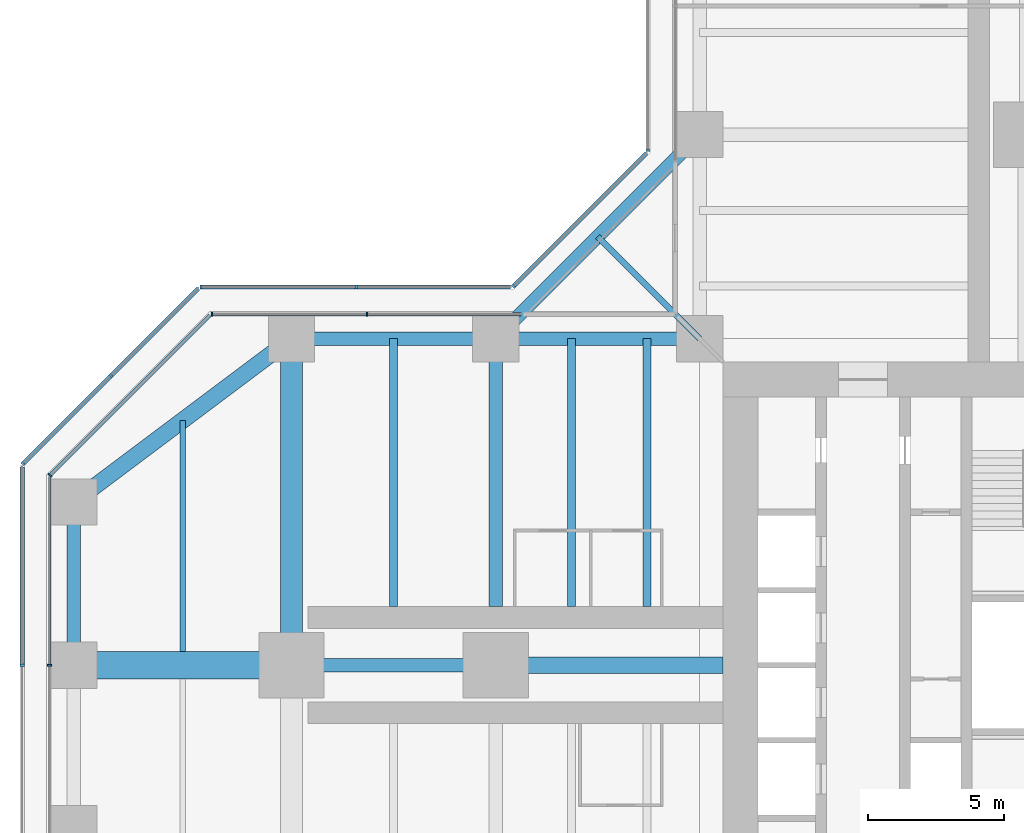
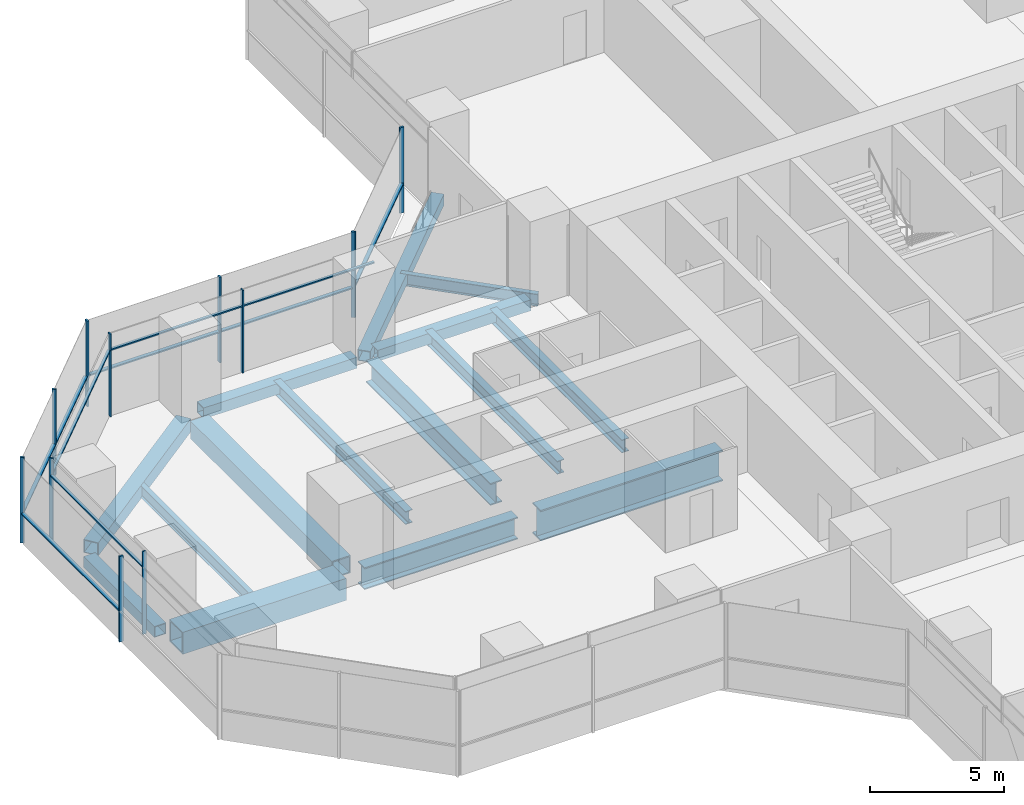
# One storey, part 8 of 22: 21 members, 15 beams, 8 elements without a shape of their own.
"""IFC4 building model written with IfcOpenShell, lengths in metres."""

from ifc_helpers import new_model, si_unit, direction, frame, origin, origin_2d, place, context, subcontext, project, spatial, rectangle, hollow_rectangle, i_section, extrude, material, material_profile, profile_set, type_object, element, aggregate, save


model = new_model("IFC4")

# Units and contexts
model_context = context("Model", 3, precision=1e-05, world=origin(), true_north=direction((0.0, 1.0)))
body_context = subcontext(model_context, "Body", "Model", "MODEL_VIEW")
ifc_project = project(units=[si_unit("LENGTHUNIT", "METRE"), si_unit("AREAUNIT", "SQUARE_METRE"), si_unit("VOLUMEUNIT", "CUBIC_METRE"), si_unit("PLANEANGLEUNIT", "RADIAN"), si_unit("MASSUNIT", "GRAM", prefix="KILO")], contexts=[model_context])

# Site, building, storey
site_placement = place(None, origin())
site = spatial("IfcSite", under=ifc_project, at=site_placement, CompositionType="ELEMENT")
building_placement = place(site_placement, origin())
building = spatial("IfcBuilding", under=site, at=building_placement, Name="Mizan Broadcast Tower", CompositionType="ELEMENT")
storey_placement = place(building_placement, frame((0.0, 0.0, 90.300048828125)))
storey = spatial("IfcBuildingStorey", under=building, at=storey_placement, Name="L19", CompositionType="ELEMENT", Elevation=90.300048828125)

# Beams
ifc_material_1 = material(Name="Steel S355", Category="steel")
ifc_material_profile_1 = material_profile(ifc_material_1, hollow_rectangle(XDim=0.5, YDim=0.5, WallThickness=0.030029296875, at=origin_2d()), Name="BOX 500x500x30")
ifc_profile_set_1 = profile_set([ifc_material_profile_1], Name="Steel S355")
beam_type_1 = type_object("IfcBeamType", Name="EDGE BEAM BOX 500x500x30", PredefinedType="SPANDREL", material=ifc_profile_set_1)
for number, where, z_axis, x_axis, name in (
    (1, (-12.449951171875, 12.0, -0.380126953125), (-1.0, 0.0, 0.0), (0.0, -1.0, 0.0), "Edge beam BOX 500x500x30 L19 west arm"),
    (2, (-19.949951171875, 12.0, -0.380126953125), (-1.0, 0.0, 0.0), (0.0, -1.0, 0.0), "Edge beam BOX 500x500x30 L19 west arm"),
):
    element("IfcBeam", number, at=place(storey_placement, frame(where, z_axis=z_axis, x_axis=x_axis)), inside=storey, type_object=beam_type_1, Name=name, PredefinedType="SPANDREL", context=body_context, shape_type="SweptSolid", body=[
        extrude(hollow_rectangle(XDim=0.5, YDim=0.5, WallThickness=0.030029296875, at=origin_2d()), origin(), (0.0, 0.0, 1.0), 6.60009765625),
    ])
beam_1_placement = place(storey_placement, frame((-35.0, 5.639892578125, -0.380126953125), z_axis=(0.0, -1.0, 0.0), x_axis=(1.0, 0.0, 0.0)))
element("IfcBeam", 3, at=beam_1_placement, inside=storey, type_object=beam_type_1, Name="Edge beam BOX 500x500x30 L19 west arm", PredefinedType="SPANDREL", context=body_context, shape_type="SweptSolid", body=[
    extrude(hollow_rectangle(XDim=0.5, YDim=0.5, WallThickness=0.030029296875, at=origin_2d()), origin(), (0.0, 0.0, 1.0), 5.27978515625),
])
beam_2_placement = place(storey_placement, frame((-12.0, 19.5, -0.380126953125), z_axis=(-0.707106781187, -0.707106781187, 0.0), x_axis=(0.707106781187, -0.707106781187, 0.0)))
element("IfcBeam", 4, at=beam_2_placement, inside=storey, type_object=beam_type_1, Name="Winter garden edge beam L19 N", PredefinedType="SPANDREL", context=body_context, shape_type="SweptSolid", body=[
    extrude(hollow_rectangle(XDim=0.5, YDim=0.5, WallThickness=0.030029296875, at=origin_2d()), origin(), (0.0, 0.0, 1.0), 10.606689453125),
])
ifc_material_2 = material(Name="Steel S355", Category="steel")
ifc_material_profile_2 = material_profile(ifc_material_2, hollow_rectangle(XDim=0.60009765625, YDim=0.60009765625, WallThickness=0.030029296875, at=origin_2d()), Name="BOX 600x600x30")
ifc_profile_set_2 = profile_set([ifc_material_profile_2], Name="Steel S355")
beam_type_2 = type_object("IfcBeamType", Name="EDGE BEAM BOX 600x600x30", PredefinedType="SPANDREL", material=ifc_profile_set_2)
beam_3_placement = place(storey_placement, frame((-27.47998046875, 11.639892578125, -0.429931640625), z_axis=(-0.800013316712, -0.599982243973, 0.0), x_axis=(0.599982243973, -0.800013316712, 0.0)))
element("IfcBeam", 5, at=beam_3_placement, inside=storey, type_object=beam_type_2, Name="Edge beam BOX 600x600x30 L19 west arm", PredefinedType="SPANDREL", context=body_context, shape_type="SweptSolid", body=[
    extrude(hollow_rectangle(XDim=0.60009765625, YDim=0.60009765625, WallThickness=0.030029296875, at=origin_2d()), origin(), (0.0, 0.0, 1.0), 8.7998046875),
])
ifc_material_3 = material(Name="Steel S460", Category="steel")
ifc_material_profile_3 = material_profile(ifc_material_3, hollow_rectangle(XDim=1.0, YDim=1.0, WallThickness=0.06005859375, at=origin_2d()), Name="BOX 1000x1000x60")
ifc_profile_set_3 = profile_set([ifc_material_profile_3], Name="Steel S460")
beam_type_3 = type_object("IfcBeamType", Name="GIRDER BOX 1000x1000x60", PredefinedType="BEAM", material=ifc_profile_set_3)
beam_4_placement = place(storey_placement, frame((-27.47998046875, 0.0, -0.630126953125), z_axis=(-1.0, 0.0, 0.0), x_axis=(0.0, -1.0, 0.0)))
element("IfcBeam", 6, at=beam_4_placement, inside=storey, type_object=beam_type_3, Name="Girder BOX 1000x1000x60 L19 west arm", PredefinedType="BEAM", context=body_context, shape_type="SweptSolid", body=[
    extrude(hollow_rectangle(XDim=1.0, YDim=1.0, WallThickness=0.06005859375, at=origin_2d()), origin(), (0.0, 0.0, 1.0), 7.0400390625),
])
ifc_material_4 = material(Name="Steel S460", Category="steel")
ifc_material_profile_4 = material_profile(ifc_material_4, hollow_rectangle(XDim=0.800048828125, YDim=0.800048828125, WallThickness=0.050048828125, at=origin_2d()), Name="BOX 800x800x50")
ifc_profile_set_4 = profile_set([ifc_material_profile_4], Name="Steel S460")
beam_type_4 = type_object("IfcBeamType", Name="GIRDER BOX 800x800x50", PredefinedType="BEAM", material=ifc_profile_set_4)
beam_5_placement = place(storey_placement, frame((-27.0, 11.280029296875, -0.530029296875), z_axis=(0.0, -1.0, 0.0), x_axis=(1.0, 0.0, 0.0)))
element("IfcBeam", 7, at=beam_5_placement, inside=storey, type_object=beam_type_4, Name="Girder BOX 800x800x50 L19 west arm", PredefinedType="BEAM", context=body_context, shape_type="SweptSolid", body=[
    extrude(hollow_rectangle(XDim=0.800048828125, YDim=0.800048828125, WallThickness=0.050048828125, at=origin_2d()), origin(), (0.0, 0.0, 1.0), 10.56005859375),
])
ifc_material_5 = material(Name="Steel S460", Category="steel")
ifc_material_profile_5 = material_profile(ifc_material_5, i_section(OverallWidth=0.5, OverallDepth=1.0, WebThickness=0.02490234375, FlangeThickness=0.050048828125, at=origin_2d()), Name="WPG 1000x500")
ifc_profile_set_5 = profile_set([ifc_material_profile_5], Name="Steel S460")
beam_type_5 = type_object("IfcBeamType", Name="GIRDER WPG 1000x500", PredefinedType="BEAM", material=ifc_profile_set_5)
beam_6_placement = place(storey_placement, frame((-19.949951171875, 0.0, -0.630126953125), z_axis=(-1.0, 0.0, 0.0), x_axis=(0.0, -1.0, 0.0)))
element("IfcBeam", 8, at=beam_6_placement, inside=storey, type_object=beam_type_5, Name="Girder WPG 1000x500 L19 west arm", PredefinedType="BEAM", context=body_context, shape_type="SweptSolid", body=[
    extrude(i_section(OverallWidth=0.5, OverallDepth=1.0, WebThickness=0.02490234375, FlangeThickness=0.050048828125, at=origin_2d()), origin(), (0.0, 0.0, 1.0), 6.60009765625),
])
beam_7_placement = place(storey_placement, frame((-19.5, 11.408935546875, -0.630126953125), z_axis=(0.0, -1.0, 0.0), x_axis=(1.0, 0.0, 0.0)))
element("IfcBeam", 9, at=beam_7_placement, inside=storey, type_object=beam_type_5, Name="Girder WPG 1000x500 L19 west arm", PredefinedType="BEAM", context=body_context, shape_type="SweptSolid", body=[
    extrude(i_section(OverallWidth=0.5, OverallDepth=1.0, WebThickness=0.02490234375, FlangeThickness=0.050048828125, at=origin_2d()), origin(), (0.0, 0.0, 1.0), 9.259033203125),
])
ifc_material_6 = material(Name="Steel S460", Category="steel")
ifc_material_profile_6 = material_profile(ifc_material_6, i_section(OverallWidth=0.60009765625, OverallDepth=1.39990234375, WebThickness=0.02490234375, FlangeThickness=0.06005859375, at=origin_2d()), Name="WPG 1400x600")
ifc_profile_set_6 = profile_set([ifc_material_profile_6], Name="Steel S460")
beam_type_6 = type_object("IfcBeamType", Name="GIRDER WPG 1400x600", PredefinedType="BEAM", material=ifc_profile_set_6)
beam_8_placement = place(storey_placement, frame((-11.14990234375, 0.0, -0.830078125), z_axis=(-1.0, 0.0, 0.0), x_axis=(0.0, -1.0, 0.0)))
element("IfcBeam", 10, at=beam_8_placement, inside=storey, type_object=beam_type_6, Name="Girder WPG 1400x600 L19 west arm", PredefinedType="BEAM", context=body_context, shape_type="SweptSolid", body=[
    extrude(i_section(OverallWidth=0.60009765625, OverallDepth=1.39990234375, WebThickness=0.02490234375, FlangeThickness=0.06005859375, at=origin_2d()), origin(), (0.0, 0.0, 1.0), 7.84912109375),
])

# Curtain wall, members
ifc_material_7 = material(Name="Aluminium framed glazing", Category="aluminium")
curtain_wall_type_1 = type_object("IfcCurtainWallType", Name="INNER SKIN LOW ZONE", PredefinedType="USERDEFINED", material=ifc_material_7)
curtain_wall_1_placement = place(storey_placement, origin())
curtain_wall_1 = element("IfcCurtainWall", 11, at=curtain_wall_1_placement, inside=storey, type_object=curtain_wall_type_1, Name="Inner skin low zone L19 W side", ObjectType="INNER SKIN LOW ZONE", PredefinedType="USERDEFINED")
ifc_material_8 = material(Name="Aluminium, pale anodised", Category="aluminium")
ifc_material_profile_7 = material_profile(ifc_material_8, rectangle(XDim=0.159912109375, YDim=0.06005859375, at=origin_2d()), Name="MULLION 160x60")
ifc_profile_set_7 = profile_set([ifc_material_profile_7], Name="Aluminium, pale anodised")
member_type_1 = type_object("IfcMemberType", Name="INNER SKIN MULLION 60x160", PredefinedType="MULLION", material=ifc_profile_set_7)
member_1_placement = place(storey_placement, frame((-24.229248046875, 12.89990234375, 0.0), z_axis=(0.0, 0.0, 1.0), x_axis=(0.0, -1.0, 0.0)))
member_1 = element("IfcMember", 12, at=member_1_placement, type_object=member_type_1, Name="Inner skin low zone L19 W side mullion 2", PredefinedType="MULLION", context=body_context, shape_type="SweptSolid", body=[
    extrude(rectangle(XDim=0.159912109375, YDim=0.06005859375, at=origin_2d()), origin(), (0.0, 0.0, 1.0), 3.77001953125),
])
member_2_placement = place(storey_placement, frame((-29.928466796875, 12.89990234375, 0.0), z_axis=(0.0, 0.0, 1.0), x_axis=(0.0, -1.0, 0.0)))
member_2 = element("IfcMember", 13, at=member_2_placement, type_object=member_type_1, Name="Inner skin low zone L19 W side mullion 3", PredefinedType="MULLION", context=body_context, shape_type="SweptSolid", body=[
    extrude(rectangle(XDim=0.159912109375, YDim=0.06005859375, at=origin_2d()), origin(), (0.0, 0.0, 1.0), 3.77001953125),
])

# Curtain wall, member
curtain_wall_2_placement = place(storey_placement, origin())
curtain_wall_2 = element("IfcCurtainWall", 14, at=curtain_wall_2_placement, inside=storey, type_object=curtain_wall_type_1, Name="Inner skin low zone L19 W chamfer", ObjectType="INNER SKIN LOW ZONE", PredefinedType="USERDEFINED")
member_3_placement = place(storey_placement, frame((-35.87890625, 6.979736328125, 0.0), z_axis=(0.0, 0.0, 1.0), x_axis=(0.707106781187, -0.707106781187, 0.0)))
member_3 = element("IfcMember", 15, at=member_3_placement, type_object=member_type_1, Name="Inner skin low zone L19 W chamfer mullion 2", PredefinedType="MULLION", context=body_context, shape_type="SweptSolid", body=[
    extrude(rectangle(XDim=0.159912109375, YDim=0.06005859375, at=origin_2d()), origin(), (0.0, 0.0, 1.0), 3.77001953125),
])

curtain_wall_3_placement = place(storey_placement, origin())
curtain_wall_3 = element("IfcCurtainWall", 16, at=curtain_wall_3_placement, inside=storey, type_object=curtain_wall_type_1, Name="Inner skin low zone L19 W end", ObjectType="INNER SKIN LOW ZONE", PredefinedType="USERDEFINED")
member_4_placement = place(storey_placement, frame((-35.89990234375, 0.0, 0.0), z_axis=(0.0, 0.0, 1.0), x_axis=(1.0, 0.0, 0.0)))
member_4 = element("IfcMember", 17, at=member_4_placement, type_object=member_type_1, Name="Inner skin low zone L19 W end mullion 2", PredefinedType="MULLION", context=body_context, shape_type="SweptSolid", body=[
    extrude(rectangle(XDim=0.159912109375, YDim=0.06005859375, at=origin_2d()), origin(), (0.0, 0.0, 1.0), 3.77001953125),
])

# Member
ifc_material_9 = material(Name="Aluminium, pale anodised", Category="aluminium")
ifc_material_profile_8 = material_profile(ifc_material_9, rectangle(XDim=0.1201171875, YDim=0.06005859375, at=origin_2d()), Name="TRANSOM 120x60")
ifc_profile_set_8 = profile_set([ifc_material_profile_8], Name="Aluminium, pale anodised")
member_type_2 = type_object("IfcMemberType", Name="INNER SKIN TRANSOM 60x120", PredefinedType="USERDEFINED", material=ifc_profile_set_8)
member_5_placement = place(storey_placement, frame((-18.56005859375, 12.89990234375, 3.030029296875), z_axis=(-1.0, 0.0, 0.0), x_axis=(0.0, -1.0, 0.0)))
member_5 = element("IfcMember", 18, at=member_5_placement, type_object=member_type_2, Name="Inner skin low zone L19 W side transom 1.1", ObjectType="TRANSOM", PredefinedType="USERDEFINED", context=body_context, shape_type="SweptSolid", body=[
    extrude(rectangle(XDim=0.1201171875, YDim=0.06005859375, at=origin_2d()), origin(), (0.0, 0.0, 1.0), 5.63916015625),
])

member_6_placement = place(storey_placement, frame((-24.25927734375, 12.89990234375, 3.030029296875), z_axis=(-1.0, 0.0, 0.0), x_axis=(0.0, -1.0, 0.0)))
member_6 = element("IfcMember", 19, at=member_6_placement, type_object=member_type_2, Name="Inner skin low zone L19 W side transom 2.1", ObjectType="TRANSOM", PredefinedType="USERDEFINED", context=body_context, shape_type="SweptSolid", body=[
    extrude(rectangle(XDim=0.1201171875, YDim=0.06005859375, at=origin_2d()), origin(), (0.0, 0.0, 1.0), 5.639404296875),
])

aggregate(curtain_wall_1, [member_1, member_2, member_5, member_6])

member_7_placement = place(storey_placement, frame((-30.0009765625, 12.857666015625, 3.030029296875), z_axis=(-0.707106781187, -0.707106781187, 0.0), x_axis=(0.707106781187, -0.707106781187, 0.0)))
member_7 = element("IfcMember", 20, at=member_7_placement, type_object=member_type_2, Name="Inner skin low zone L19 W chamfer transom 1.1", ObjectType="TRANSOM", PredefinedType="USERDEFINED", context=body_context, shape_type="SweptSolid", body=[
    extrude(rectangle(XDim=0.1201171875, YDim=0.06005859375, at=origin_2d()), origin(), (0.0, 0.0, 1.0), 8.28271484375),
])

aggregate(curtain_wall_2, [member_3, member_7])

member_8_placement = place(storey_placement, frame((-35.89990234375, 6.898681640625, 3.030029296875), z_axis=(0.0, -1.0, 0.0), x_axis=(1.0, 0.0, 0.0)))
member_8 = element("IfcMember", 21, at=member_8_placement, type_object=member_type_2, Name="Inner skin low zone L19 W end transom 1.1", ObjectType="TRANSOM", PredefinedType="USERDEFINED", context=body_context, shape_type="SweptSolid", body=[
    extrude(rectangle(XDim=0.1201171875, YDim=0.06005859375, at=origin_2d()), origin(), (0.0, 0.0, 1.0), 6.86865234375),
])

aggregate(curtain_wall_3, [member_4, member_8])

# Curtain wall, member
ifc_material_10 = material(Name="Aluminium framed glazing", Category="aluminium")
curtain_wall_type_2 = type_object("IfcCurtainWallType", Name="OUTER SKIN", PredefinedType="USERDEFINED", material=ifc_material_10)
curtain_wall_4_placement = place(storey_placement, origin())
curtain_wall_4 = element("IfcCurtainWall", 22, at=curtain_wall_4_placement, inside=storey, type_object=curtain_wall_type_2, Name="Outer skin L19 N side", ObjectType="OUTER SKIN", PredefinedType="USERDEFINED")
ifc_material_11 = material(Name="Aluminium, pale anodised", Category="aluminium")
ifc_material_profile_9 = material_profile(ifc_material_11, rectangle(XDim=0.159912109375, YDim=0.080078125, at=origin_2d()), Name="MULLION 160x80")
ifc_profile_set_9 = profile_set([ifc_material_profile_9], Name="Aluminium, pale anodised")
member_type_3 = type_object("IfcMemberType", Name="OUTER SKIN MULLION 80x160", PredefinedType="MULLION", material=ifc_profile_set_9)
member_9_placement = place(storey_placement, frame((-13.89990234375, 18.912841796875, 0.0), z_axis=(0.0, 0.0, 1.0), x_axis=(1.0, 0.0, 0.0)))
member_9 = element("IfcMember", 23, at=member_9_placement, type_object=member_type_3, Name="Outer skin L19 N side mullion 3", PredefinedType="MULLION", context=body_context, shape_type="SweptSolid", body=[
    extrude(rectangle(XDim=0.159912109375, YDim=0.080078125, at=origin_2d()), origin(), (0.0, 0.0, 1.0), 3.89990234375),
])
aggregate(curtain_wall_4, [member_9])

curtain_wall_5_placement = place(storey_placement, origin())
curtain_wall_5 = element("IfcCurtainWall", 24, at=curtain_wall_5_placement, inside=storey, type_object=curtain_wall_type_2, Name="Outer skin L19 W chamfer", ObjectType="OUTER SKIN", PredefinedType="USERDEFINED")
member_10_placement = place(storey_placement, frame((-18.844482421875, 13.92822265625, 0.0), z_axis=(0.0, 0.0, 1.0), x_axis=(0.707106781187, -0.707106781187, 0.0)))
member_10 = element("IfcMember", 25, at=member_10_placement, type_object=member_type_3, Name="Outer skin L19 W chamfer mullion 2", PredefinedType="MULLION", context=body_context, shape_type="SweptSolid", body=[
    extrude(rectangle(XDim=0.159912109375, YDim=0.080078125, at=origin_2d()), origin(), (0.0, 0.0, 1.0), 3.89990234375),
])

# Curtain wall, members
curtain_wall_6_placement = place(storey_placement, origin())
curtain_wall_6 = element("IfcCurtainWall", 26, at=curtain_wall_6_placement, inside=storey, type_object=curtain_wall_type_2, Name="Outer skin L19 W side", ObjectType="OUTER SKIN", PredefinedType="USERDEFINED")
member_11_placement = place(storey_placement, frame((-24.622802734375, 13.89990234375, 0.0), z_axis=(0.0, 0.0, 1.0), x_axis=(0.0, -1.0, 0.0)))
member_11 = element("IfcMember", 27, at=member_11_placement, type_object=member_type_3, Name="Outer skin L19 W side mullion 2", PredefinedType="MULLION", context=body_context, shape_type="SweptSolid", body=[
    extrude(rectangle(XDim=0.159912109375, YDim=0.080078125, at=origin_2d()), origin(), (0.0, 0.0, 1.0), 3.89990234375),
])
member_12_placement = place(storey_placement, frame((-30.332763671875, 13.89990234375, 0.0), z_axis=(0.0, 0.0, 1.0), x_axis=(0.0, -1.0, 0.0)))
member_12 = element("IfcMember", 28, at=member_12_placement, type_object=member_type_3, Name="Outer skin L19 W side mullion 3", PredefinedType="MULLION", context=body_context, shape_type="SweptSolid", body=[
    extrude(rectangle(XDim=0.159912109375, YDim=0.080078125, at=origin_2d()), origin(), (0.0, 0.0, 1.0), 3.89990234375),
])

curtain_wall_7_placement = place(storey_placement, origin())
curtain_wall_7 = element("IfcCurtainWall", 29, at=curtain_wall_7_placement, inside=storey, type_object=curtain_wall_type_2, Name="Outer skin L19 W chamfer", ObjectType="OUTER SKIN", PredefinedType="USERDEFINED")
member_13_placement = place(storey_placement, frame((-33.636474609375, 10.636474609375, 0.0), z_axis=(0.0, 0.0, 1.0), x_axis=(0.707106781187, -0.707106781187, 0.0)))
member_13 = element("IfcMember", 30, at=member_13_placement, type_object=member_type_3, Name="Outer skin L19 W chamfer mullion 2", PredefinedType="MULLION", context=body_context, shape_type="SweptSolid", body=[
    extrude(rectangle(XDim=0.159912109375, YDim=0.080078125, at=origin_2d()), origin(), (0.0, 0.0, 1.0), 3.89990234375),
])
member_14_placement = place(storey_placement, frame((-36.871826171875, 7.401123046875, 0.0), z_axis=(0.0, 0.0, 1.0), x_axis=(0.707106781187, -0.707106781187, 0.0)))
member_14 = element("IfcMember", 31, at=member_14_placement, type_object=member_type_3, Name="Outer skin L19 W chamfer mullion 3", PredefinedType="MULLION", context=body_context, shape_type="SweptSolid", body=[
    extrude(rectangle(XDim=0.159912109375, YDim=0.080078125, at=origin_2d()), origin(), (0.0, 0.0, 1.0), 3.89990234375),
])

# Curtain wall, member
curtain_wall_8_placement = place(storey_placement, origin())
curtain_wall_8 = element("IfcCurtainWall", 32, at=curtain_wall_8_placement, inside=storey, type_object=curtain_wall_type_2, Name="Outer skin L19 W end", ObjectType="OUTER SKIN", PredefinedType="USERDEFINED")
member_15_placement = place(storey_placement, frame((-36.89990234375, 0.0, 0.0), z_axis=(0.0, 0.0, 1.0), x_axis=(1.0, 0.0, 0.0)))
member_15 = element("IfcMember", 33, at=member_15_placement, type_object=member_type_3, Name="Outer skin L19 W end mullion 2", PredefinedType="MULLION", context=body_context, shape_type="SweptSolid", body=[
    extrude(rectangle(XDim=0.159912109375, YDim=0.080078125, at=origin_2d()), origin(), (0.0, 0.0, 1.0), 3.89990234375),
])

# Member
ifc_material_12 = material(Name="Aluminium, pale anodised", Category="aluminium")
ifc_material_profile_10 = material_profile(ifc_material_12, rectangle(XDim=0.159912109375, YDim=0.06005859375, at=origin_2d()), Name="TRANSOM 160x60")
ifc_profile_set_10 = profile_set([ifc_material_profile_10], Name="Aluminium, pale anodised")
member_type_4 = type_object("IfcMemberType", Name="OUTER SKIN TRANSOM 60x160", PredefinedType="USERDEFINED", material=ifc_profile_set_10)
member_16_placement = place(storey_placement, frame((-13.95654296875, 18.816162109375, 1.39990234375), z_axis=(-0.707106781187, -0.707106781187, 0.0), x_axis=(0.707106781187, -0.707106781187, 0.0)))
member_16 = element("IfcMember", 34, at=member_16_placement, type_object=member_type_4, Name="Outer skin L19 W chamfer transom 1.1", ObjectType="TRANSOM", PredefinedType="USERDEFINED", context=body_context, shape_type="SweptSolid", body=[
    extrude(rectangle(XDim=0.159912109375, YDim=0.06005859375, at=origin_2d()), origin(), (0.0, 0.0, 1.0), 6.87255859375),
])

aggregate(curtain_wall_5, [member_10, member_16])

member_17_placement = place(storey_placement, frame((-18.952880859375, 13.89990234375, 1.39990234375), z_axis=(-1.0, 0.0, 0.0), x_axis=(0.0, -1.0, 0.0)))
member_17 = element("IfcMember", 35, at=member_17_placement, type_object=member_type_4, Name="Outer skin L19 W side transom 1.1", ObjectType="TRANSOM", PredefinedType="USERDEFINED", context=body_context, shape_type="SweptSolid", body=[
    extrude(rectangle(XDim=0.159912109375, YDim=0.06005859375, at=origin_2d()), origin(), (0.0, 0.0, 1.0), 5.6298828125),
])

member_18_placement = place(storey_placement, frame((-24.662841796875, 13.89990234375, 1.39990234375), z_axis=(-1.0, 0.0, 0.0), x_axis=(0.0, -1.0, 0.0)))
member_18 = element("IfcMember", 36, at=member_18_placement, type_object=member_type_4, Name="Outer skin L19 W side transom 2.1", ObjectType="TRANSOM", PredefinedType="USERDEFINED", context=body_context, shape_type="SweptSolid", body=[
    extrude(rectangle(XDim=0.159912109375, YDim=0.06005859375, at=origin_2d()), origin(), (0.0, 0.0, 1.0), 5.6298828125),
])

aggregate(curtain_wall_6, [member_11, member_12, member_17, member_18])

member_19_placement = place(storey_placement, frame((-30.429443359375, 13.843505859375, 1.39990234375), z_axis=(-0.707106781187, -0.707106781187, 0.0), x_axis=(0.707106781187, -0.707106781187, 0.0)))
member_19 = element("IfcMember", 37, at=member_19_placement, type_object=member_type_4, Name="Outer skin L19 W chamfer transom 1.1", ObjectType="TRANSOM", PredefinedType="USERDEFINED", context=body_context, shape_type="SweptSolid", body=[
    extrude(rectangle(XDim=0.159912109375, YDim=0.06005859375, at=origin_2d()), origin(), (0.0, 0.0, 1.0), 4.495361328125),
])

member_20_placement = place(storey_placement, frame((-33.664794921875, 10.608154296875, 1.39990234375), z_axis=(-0.707106781187, -0.707106781187, 0.0), x_axis=(0.707106781187, -0.707106781187, 0.0)))
member_20 = element("IfcMember", 38, at=member_20_placement, type_object=member_type_4, Name="Outer skin L19 W chamfer transom 2.1", ObjectType="TRANSOM", PredefinedType="USERDEFINED", context=body_context, shape_type="SweptSolid", body=[
    extrude(rectangle(XDim=0.159912109375, YDim=0.06005859375, at=origin_2d()), origin(), (0.0, 0.0, 1.0), 4.495361328125),
])

aggregate(curtain_wall_7, [member_13, member_14, member_19, member_20])

member_21_placement = place(storey_placement, frame((-36.89990234375, 7.292724609375, 1.39990234375), z_axis=(0.0, -1.0, 0.0), x_axis=(1.0, 0.0, 0.0)))
member_21 = element("IfcMember", 39, at=member_21_placement, type_object=member_type_4, Name="Outer skin L19 W end transom 1.1", ObjectType="TRANSOM", PredefinedType="USERDEFINED", context=body_context, shape_type="SweptSolid", body=[
    extrude(rectangle(XDim=0.159912109375, YDim=0.06005859375, at=origin_2d()), origin(), (0.0, 0.0, 1.0), 7.252685546875),
])

aggregate(curtain_wall_8, [member_15, member_21])

# Beams
ifc_material_13 = material(Name="Steel S355", Category="steel")
ifc_material_profile_11 = material_profile(ifc_material_13, i_section(OverallWidth=0.300048828125, OverallDepth=0.590087890625, WebThickness=0.012939453125, FlangeThickness=0.02490234375, FilletRadius=0.027099609375, at=origin_2d()), Name="HEA 600")
ifc_profile_set_11 = profile_set([ifc_material_profile_11], Name="Steel S355")
beam_type_7 = type_object("IfcBeamType", Name="SECONDARY BEAM HEA 600", PredefinedType="JOIST", material=ifc_profile_set_11)
for number, where, z_axis, x_axis, name in (
    (40, (-13.933349609375, 12.0, -0.425048828125), (0.0, -1.0, 0.0), (1.0, 0.0, 0.0), "Secondary beam HEA 600 L19 west arm"),
    (41, (-16.716552734375, 12.0, -0.425048828125), (0.0, -1.0, 0.0), (1.0, 0.0, 0.0), "Secondary beam HEA 600 L19 west arm"),
    (42, (-23.25, 12.0, -0.425048828125), (0.0, -1.0, 0.0), (1.0, 0.0, 0.0), "Secondary beam HEA 600 L19 west arm"),
):
    element("IfcBeam", number, at=place(storey_placement, frame(where, z_axis=z_axis, x_axis=x_axis)), inside=storey, type_object=beam_type_7, Name=name, PredefinedType="JOIST", context=body_context, shape_type="SweptSolid", body=[
        extrude(i_section(OverallWidth=0.300048828125, OverallDepth=0.590087890625, WebThickness=0.012939453125, FlangeThickness=0.02490234375, FilletRadius=0.027099609375, at=origin_2d()), origin(), (0.0, 0.0, 1.0), 9.85009765625),
    ])
ifc_material_14 = material(Name="Steel S355", Category="steel")
ifc_material_profile_12 = material_profile(ifc_material_14, i_section(OverallWidth=0.2099609375, OverallDepth=0.550048828125, WebThickness=0.010986328125, FlangeThickness=0.01708984375, FilletRadius=0.02392578125, at=origin_2d()), Name="IPE 550")
ifc_profile_set_12 = profile_set([ifc_material_profile_12], Name="Steel S355")
beam_type_8 = type_object("IfcBeamType", Name="SECONDARY BEAM IPE 550", PredefinedType="JOIST", material=ifc_profile_set_12)
beam_9_placement = place(storey_placement, frame((-31.0, 9.0, -0.405029296875), z_axis=(0.0, -1.0, 0.0), x_axis=(1.0, 0.0, 0.0)))
element("IfcBeam", 43, at=beam_9_placement, inside=storey, type_object=beam_type_8, Name="Secondary beam IPE 550 L19 west arm", PredefinedType="JOIST", context=body_context, shape_type="SweptSolid", body=[
    extrude(i_section(OverallWidth=0.2099609375, OverallDepth=0.550048828125, WebThickness=0.010986328125, FlangeThickness=0.01708984375, FilletRadius=0.02392578125, at=origin_2d()), origin(), (0.0, 0.0, 1.0), 8.5),
])
beam_10_placement = place(storey_placement, frame((-12.0, 12.0, -0.405029296875), z_axis=(-0.707106781187, 0.707106781187, 0.0), x_axis=(-0.707106781187, -0.707106781187, 0.0)))
element("IfcBeam", 44, at=beam_10_placement, inside=storey, type_object=beam_type_8, Name="Winter garden beam L19 N", PredefinedType="JOIST", context=body_context, shape_type="SweptSolid", body=[
    extrude(i_section(OverallWidth=0.2099609375, OverallDepth=0.550048828125, WebThickness=0.010986328125, FlangeThickness=0.01708984375, FilletRadius=0.02392578125, at=origin_2d()), origin(), (0.0, 0.0, 1.0), 5.30322265625),
])

save(model, "model.ifc")
